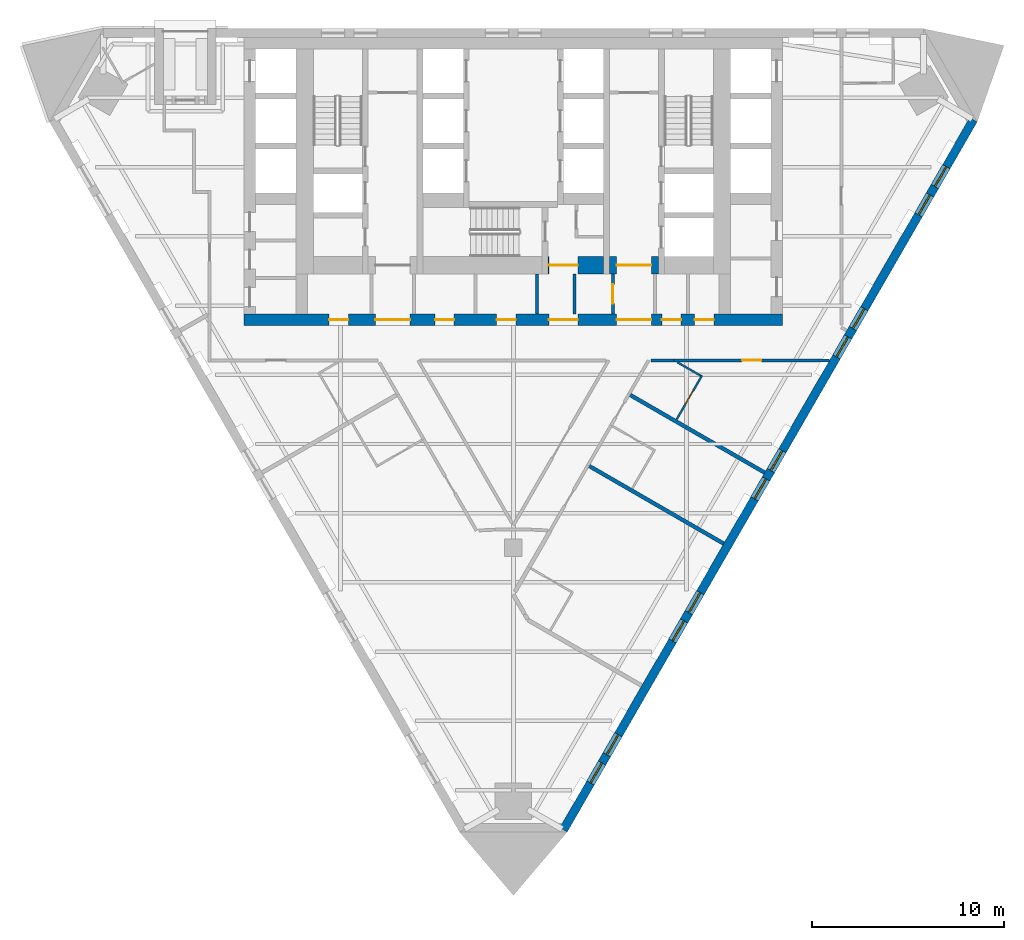
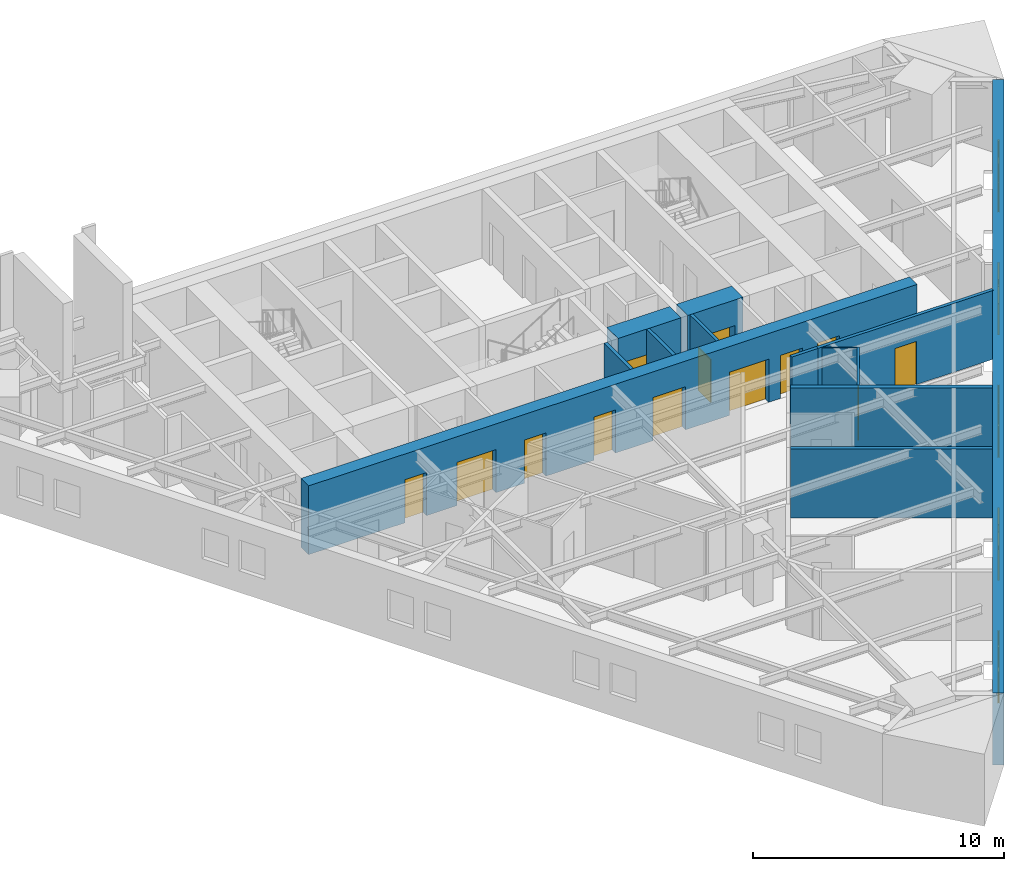
# One storey, part 4 of 9: 13 doors, 13 walls, 10 windows, 23 openings.
"""IFC4 building model written with IfcOpenShell, lengths in metres."""

from ifc_helpers import new_model, si_unit, direction, frame, frame_2d, origin, place, context, subcontext, project, spatial, polyline, rectangle, outline, extrude, material, layer, layer_set, type_object, element, fill, save


model = new_model("IFC4")

# Units and contexts
model_context = context("Model", 3, precision=1e-05, world=origin(), true_north=direction((0.0, 1.0)))
body_context = subcontext(model_context, "Body", "Model", "MODEL_VIEW")
ifc_project = project(units=[si_unit("LENGTHUNIT", "METRE"), si_unit("AREAUNIT", "SQUARE_METRE"), si_unit("VOLUMEUNIT", "CUBIC_METRE"), si_unit("PLANEANGLEUNIT", "RADIAN"), si_unit("MASSUNIT", "GRAM", prefix="KILO")], contexts=[model_context])

# Site, building, storey
site_placement = place(None, origin())
site = spatial("IfcSite", under=ifc_project, at=site_placement, CompositionType="ELEMENT")
building_placement = place(site_placement, origin())
building = spatial("IfcBuilding", under=site, at=building_placement, Name="Aloe Facet Convention Tower", CompositionType="ELEMENT")
storey_placement = place(building_placement, frame((0.0, 0.0, 92.300048828125)))
storey = spatial("IfcBuildingStorey", under=building, at=storey_placement, Name="L22", CompositionType="ELEMENT", Elevation=92.300048828125)

# Walls
ifc_material_1 = material(Name="Concrete blockwork partition", Category="masonry")
ifc_layer_1 = layer(ifc_material_1, 0.14990234375)
ifc_layer_set_1 = layer_set([ifc_layer_1], Name="CR-W-PART150")
wall_type_1 = type_object("IfcWallType", Name="CR-W-PART150", PredefinedType="PARTITIONING", material=ifc_layer_set_1)
for number, where, z_axis, x_axis, name in (
    (1, (81.22509765625, 122.25, 0.0), (0.0, 0.0, 1.0), (0.0, -1.0, 0.0), "Core partition L22-027"),
    (2, (83.175048828125, 122.25, 0.0), (0.0, 0.0, 1.0), (0.0, -1.0, 0.0), "Core partition L22-034"),
):
    element("IfcWall", number, at=place(storey_placement, frame(where, z_axis=z_axis, x_axis=x_axis)), inside=storey, type_object=wall_type_1, Name=name, PredefinedType="PARTITIONING", context=body_context, shape_type="SweptSolid", body=[
        extrude(rectangle(XDim=2.10009765625, YDim=0.14990234375, at=frame_2d((1.050048828125, 0.0))), origin(), (0.0, 0.0, 1.0), 3.349853515625),
    ])

# Wall, opening, door
wall_1_placement = place(storey_placement, frame((85.175048828125, 122.25, 0.0), z_axis=(0.0, 0.0, 1.0), x_axis=(0.0, -1.0, 0.0)))
wall_1 = element("IfcWall", 3, at=wall_1_placement, inside=storey, type_object=wall_type_1, Name="Core partition L22-040", PredefinedType="PARTITIONING", context=body_context, shape_type="SweptSolid", body=[
    extrude(rectangle(XDim=2.10009765625, YDim=0.14990234375, at=frame_2d((1.050048828125, 0.0))), origin(), (0.0, 0.0, 1.0), 3.349853515625),
])
opening_1_placement = place(wall_1_placement, frame((0.550048828125, 0.0, 0.0)))
opening_1 = element("IfcOpeningElement", 4, at=opening_1_placement, cuts=wall_1, Name="Opening L22-CD26", PredefinedType="OPENING", context=body_context, shape_type="SweptSolid", body=[
    extrude(rectangle(XDim=1.0, YDim=2.10009765625, at=frame_2d((0.5, 1.050048828125))), frame((0.0, 0.0849609375, 0.0), z_axis=(0.0, -1.0, 0.0), x_axis=(1.0, 0.0, 0.0)), (0.0, 0.0, 1.0), 0.169921875),
])
ifc_material_2 = material(Name="Steel fire-resisting door set FD60", Category="steel")
door_type_1 = type_object("IfcDoorType", Name="CR-D-ROOM-1000-FD60-SRIGHT", OperationType="SINGLE_SWING_RIGHT", PredefinedType="DOOR", material=ifc_material_2)
door_1_placement = place(opening_1_placement, origin())
door_1 = element("IfcDoor", 5, at=door_1_placement, inside=storey, type_object=door_type_1, Name="Core door L22-CD26", OperationType="SINGLE_SWING_RIGHT", OverallHeight=2.10009765625, OverallWidth=1.0, PredefinedType="DOOR", context=body_context, shape_type="SweptSolid", body=[
    extrude(rectangle(XDim=1.0, YDim=2.10009765625, at=frame_2d((0.5, 1.050048828125))), frame((0.0, 0.02490234375, 0.0), z_axis=(0.0, -1.0, 0.0), x_axis=(1.0, 0.0, 0.0)), (0.0, 0.0, 1.0), 0.050048828125),
])
fill(opening_1, door_1)

# Wall, openings, doors
ifc_material_3 = material(Name="Concrete C70/85", Category="concrete")
ifc_layer_2 = layer(ifc_material_3, 0.60009765625)
ifc_layer_set_2 = layer_set([ifc_layer_2], Name="CR-W-RC600-C7085")
wall_type_2 = type_object("IfcWallType", Name="CR-W-RC600-C7085", PredefinedType="SOLIDWALL", material=ifc_layer_set_2)
wall_2_placement = place(storey_placement, frame((66.0, 119.85009765625, 0.0), z_axis=(0.0, 0.0, 1.0), x_axis=(1.0, 0.0, 0.0)))
wall_2 = element("IfcWall", 6, at=wall_2_placement, inside=storey, type_object=wall_type_2, Name="Core wall L22-003", PredefinedType="SOLIDWALL", context=body_context, shape_type="SweptSolid", body=[
    extrude(rectangle(XDim=28.0, YDim=0.60009765625, at=frame_2d((14.0, 0.0))), origin(), (0.0, 0.0, 1.0), 3.349853515625),
])
opening_2_placement = place(wall_2_placement, frame((6.824951171875, 0.0, 0.0)))
opening_2 = element("IfcOpeningElement", 7, at=opening_2_placement, cuts=wall_2, Name="Opening L22-CD16", PredefinedType="OPENING", context=body_context, shape_type="SweptSolid", body=[
    extrude(rectangle(XDim=1.800048828125, YDim=2.10009765625, at=frame_2d((0.89990234375, 1.050048828125))), frame((0.0, 0.31005859375, 0.0), z_axis=(0.0, -1.0, 0.0), x_axis=(1.0, 0.0, 0.0)), (0.0, 0.0, 1.0), 0.6201171875),
])
opening_3_placement = place(wall_2_placement, frame((15.85009765625, 0.0, 0.0)))
opening_3 = element("IfcOpeningElement", 8, at=opening_3_placement, cuts=wall_2, Name="Opening L22-CD17", PredefinedType="OPENING", context=body_context, shape_type="SweptSolid", body=[
    extrude(rectangle(XDim=1.5, YDim=2.10009765625, at=frame_2d((0.75, 1.050048828125))), frame((0.0, 0.31005859375, 0.0), z_axis=(0.0, -1.0, 0.0), x_axis=(1.0, 0.0, 0.0)), (0.0, 0.0, 1.0), 0.6201171875),
])
opening_4_placement = place(wall_2_placement, frame((19.375, 0.0, 0.0)))
opening_4 = element("IfcOpeningElement", 9, at=opening_4_placement, cuts=wall_2, Name="Opening L22-CD18", PredefinedType="OPENING", context=body_context, shape_type="SweptSolid", body=[
    extrude(rectangle(XDim=1.800048828125, YDim=2.10009765625, at=frame_2d((0.89990234375, 1.050048828125))), frame((0.0, 0.31005859375, 0.0), z_axis=(0.0, -1.0, 0.0), x_axis=(1.0, 0.0, 0.0)), (0.0, 0.0, 1.0), 0.6201171875),
])
opening_5_placement = place(wall_2_placement, frame((4.425048828125, 0.0, 0.0)))
opening_5 = element("IfcOpeningElement", 10, at=opening_5_placement, cuts=wall_2, Name="Opening L22-CD23", PredefinedType="OPENING", context=body_context, shape_type="SweptSolid", body=[
    extrude(rectangle(XDim=1.0, YDim=2.10009765625, at=frame_2d((0.5, 1.050048828125))), frame((0.0, 0.31005859375, 0.0), z_axis=(0.0, -1.0, 0.0), x_axis=(1.0, 0.0, 0.0)), (0.0, 0.0, 1.0), 0.6201171875),
])
opening_6_placement = place(wall_2_placement, frame((9.925048828125, 0.0, 0.0)))
opening_6 = element("IfcOpeningElement", 11, at=opening_6_placement, cuts=wall_2, Name="Opening L22-CD24", PredefinedType="OPENING", context=body_context, shape_type="SweptSolid", body=[
    extrude(rectangle(XDim=1.0, YDim=2.10009765625, at=frame_2d((0.5, 1.050048828125))), frame((0.0, 0.31005859375, 0.0), z_axis=(0.0, -1.0, 0.0), x_axis=(1.0, 0.0, 0.0)), (0.0, 0.0, 1.0), 0.6201171875),
])
opening_7_placement = place(wall_2_placement, frame((13.125, 0.0, 0.0)))
opening_7 = element("IfcOpeningElement", 12, at=opening_7_placement, cuts=wall_2, Name="Opening L22-CD25", PredefinedType="OPENING", context=body_context, shape_type="SweptSolid", body=[
    extrude(rectangle(XDim=1.0, YDim=2.10009765625, at=frame_2d((0.5, 1.050048828125))), frame((0.0, 0.31005859375, 0.0), z_axis=(0.0, -1.0, 0.0), x_axis=(1.0, 0.0, 0.0)), (0.0, 0.0, 1.0), 0.6201171875),
])
opening_8_placement = place(wall_2_placement, frame((21.72509765625, 0.0, 0.0)))
opening_8 = element("IfcOpeningElement", 13, at=opening_8_placement, cuts=wall_2, Name="Opening L22-CD27", PredefinedType="OPENING", context=body_context, shape_type="SweptSolid", body=[
    extrude(rectangle(XDim=1.0, YDim=2.10009765625, at=frame_2d((0.5, 1.050048828125))), frame((0.0, 0.31005859375, 0.0), z_axis=(0.0, -1.0, 0.0), x_axis=(1.0, 0.0, 0.0)), (0.0, 0.0, 1.0), 0.6201171875),
])
opening_9_placement = place(wall_2_placement, frame((23.425048828125, 0.0, 0.0)))
opening_9 = element("IfcOpeningElement", 14, at=opening_9_placement, cuts=wall_2, Name="Opening L22-CD28", PredefinedType="OPENING", context=body_context, shape_type="SweptSolid", body=[
    extrude(rectangle(XDim=1.0, YDim=2.10009765625, at=frame_2d((0.5, 1.050048828125))), frame((0.0, 0.31005859375, 0.0), z_axis=(0.0, -1.0, 0.0), x_axis=(1.0, 0.0, 0.0)), (0.0, 0.0, 1.0), 0.6201171875),
])
ifc_material_4 = material(Name="Steel fire-resisting door set FD60", Category="steel")
door_type_2 = type_object("IfcDoorType", Name="CR-D-EXIT-1500-FD60-DD", OperationType="DOUBLE_DOOR_DOUBLE_SWING", PredefinedType="DOOR", material=ifc_material_4)
door_2_placement = place(opening_3_placement, origin())
door_2 = element("IfcDoor", 15, at=door_2_placement, inside=storey, type_object=door_type_2, Name="Core door L22-CD17", OperationType="DOUBLE_DOOR_DOUBLE_SWING", OverallHeight=2.10009765625, OverallWidth=1.5, PredefinedType="DOOR", context=body_context, shape_type="SweptSolid", body=[
    extrude(rectangle(XDim=1.5, YDim=2.10009765625, at=frame_2d((0.75, 1.050048828125))), frame((0.0, 0.02490234375, 0.0), z_axis=(0.0, -1.0, 0.0), x_axis=(1.0, 0.0, 0.0)), (0.0, 0.0, 1.0), 0.050048828125),
])
fill(opening_3, door_2)
ifc_material_5 = material(Name="Steel fire-resisting door set FD60", Category="steel")
door_type_3 = type_object("IfcDoorType", Name="CR-D-EXIT-1800-FD60-DD", OperationType="DOUBLE_DOOR_DOUBLE_SWING", PredefinedType="DOOR", material=ifc_material_5)
door_3_placement = place(opening_2_placement, origin())
door_3 = element("IfcDoor", 16, at=door_3_placement, inside=storey, type_object=door_type_3, Name="Core door L22-CD16", OperationType="DOUBLE_DOOR_DOUBLE_SWING", OverallHeight=2.10009765625, OverallWidth=1.800048828125, PredefinedType="DOOR", context=body_context, shape_type="SweptSolid", body=[
    extrude(rectangle(XDim=1.800048828125, YDim=2.10009765625, at=frame_2d((0.89990234375, 1.050048828125))), frame((0.0, 0.02490234375, 0.0), z_axis=(0.0, -1.0, 0.0), x_axis=(1.0, 0.0, 0.0)), (0.0, 0.0, 1.0), 0.050048828125),
])
fill(opening_2, door_3)
door_4_placement = place(opening_4_placement, origin())
door_4 = element("IfcDoor", 17, at=door_4_placement, inside=storey, type_object=door_type_3, Name="Core door L22-CD18", OperationType="DOUBLE_DOOR_DOUBLE_SWING", OverallHeight=2.10009765625, OverallWidth=1.800048828125, PredefinedType="DOOR", context=body_context, shape_type="SweptSolid", body=[
    extrude(rectangle(XDim=1.800048828125, YDim=2.10009765625, at=frame_2d((0.89990234375, 1.050048828125))), frame((0.0, 0.02490234375, 0.0), z_axis=(0.0, -1.0, 0.0), x_axis=(1.0, 0.0, 0.0)), (0.0, 0.0, 1.0), 0.050048828125),
])
fill(opening_4, door_4)
door_5_placement = place(opening_5_placement, origin())
door_5 = element("IfcDoor", 18, at=door_5_placement, inside=storey, type_object=door_type_1, Name="Core door L22-CD23", OperationType="SINGLE_SWING_RIGHT", OverallHeight=2.10009765625, OverallWidth=1.0, PredefinedType="DOOR", context=body_context, shape_type="SweptSolid", body=[
    extrude(rectangle(XDim=1.0, YDim=2.10009765625, at=frame_2d((0.5, 1.050048828125))), frame((0.0, 0.02490234375, 0.0), z_axis=(0.0, -1.0, 0.0), x_axis=(1.0, 0.0, 0.0)), (0.0, 0.0, 1.0), 0.050048828125),
])
fill(opening_5, door_5)
door_6_placement = place(opening_6_placement, origin())
door_6 = element("IfcDoor", 19, at=door_6_placement, inside=storey, type_object=door_type_1, Name="Core door L22-CD24", OperationType="SINGLE_SWING_RIGHT", OverallHeight=2.10009765625, OverallWidth=1.0, PredefinedType="DOOR", context=body_context, shape_type="SweptSolid", body=[
    extrude(rectangle(XDim=1.0, YDim=2.10009765625, at=frame_2d((0.5, 1.050048828125))), frame((0.0, 0.02490234375, 0.0), z_axis=(0.0, -1.0, 0.0), x_axis=(1.0, 0.0, 0.0)), (0.0, 0.0, 1.0), 0.050048828125),
])
fill(opening_6, door_6)
door_7_placement = place(opening_7_placement, origin())
door_7 = element("IfcDoor", 20, at=door_7_placement, inside=storey, type_object=door_type_1, Name="Core door L22-CD25", OperationType="SINGLE_SWING_RIGHT", OverallHeight=2.10009765625, OverallWidth=1.0, PredefinedType="DOOR", context=body_context, shape_type="SweptSolid", body=[
    extrude(rectangle(XDim=1.0, YDim=2.10009765625, at=frame_2d((0.5, 1.050048828125))), frame((0.0, 0.02490234375, 0.0), z_axis=(0.0, -1.0, 0.0), x_axis=(1.0, 0.0, 0.0)), (0.0, 0.0, 1.0), 0.050048828125),
])
fill(opening_7, door_7)
door_8_placement = place(opening_8_placement, origin())
door_8 = element("IfcDoor", 21, at=door_8_placement, inside=storey, type_object=door_type_1, Name="Core door L22-CD27", OperationType="SINGLE_SWING_RIGHT", OverallHeight=2.10009765625, OverallWidth=1.0, PredefinedType="DOOR", context=body_context, shape_type="SweptSolid", body=[
    extrude(rectangle(XDim=1.0, YDim=2.10009765625, at=frame_2d((0.5, 1.050048828125))), frame((0.0, 0.02490234375, 0.0), z_axis=(0.0, -1.0, 0.0), x_axis=(1.0, 0.0, 0.0)), (0.0, 0.0, 1.0), 0.050048828125),
])
fill(opening_8, door_8)
door_9_placement = place(opening_9_placement, origin())
door_9 = element("IfcDoor", 22, at=door_9_placement, inside=storey, type_object=door_type_1, Name="Core door L22-CD28", OperationType="SINGLE_SWING_RIGHT", OverallHeight=2.10009765625, OverallWidth=1.0, PredefinedType="DOOR", context=body_context, shape_type="SweptSolid", body=[
    extrude(rectangle(XDim=1.0, YDim=2.10009765625, at=frame_2d((0.5, 1.050048828125))), frame((0.0, 0.02490234375, 0.0), z_axis=(0.0, -1.0, 0.0), x_axis=(1.0, 0.0, 0.0)), (0.0, 0.0, 1.0), 0.050048828125),
])
fill(opening_9, door_9)

# Wall, opening, door
ifc_material_6 = material(Name="Concrete C70/85", Category="concrete")
ifc_layer_3 = layer(ifc_material_6, 0.89990234375)
ifc_layer_set_3 = layer_set([ifc_layer_3], Name="CR-W-RC900-C7085")
wall_type_3 = type_object("IfcWallType", Name="CR-W-RC900-C7085", PredefinedType="SOLIDWALL", material=ifc_layer_set_3)
wall_3_placement = place(storey_placement, frame((81.800048828125, 122.699951171875, 0.0), z_axis=(0.0, 0.0, 1.0), x_axis=(1.0, 0.0, 0.0)))
wall_3 = element("IfcWall", 23, at=wall_3_placement, inside=storey, type_object=wall_type_3, Name="Core wall L22-029", PredefinedType="SOLIDWALL", context=body_context, shape_type="SweptSolid", body=[
    extrude(rectangle(XDim=2.89990234375, YDim=0.89990234375, at=frame_2d((1.449951171875, 0.0))), origin(), (0.0, 0.0, 1.0), 3.349853515625),
])
opening_10_placement = place(wall_3_placement, frame((0.050048828125, 0.0, 0.0)))
opening_10 = element("IfcOpeningElement", 24, at=opening_10_placement, cuts=wall_3, Name="Opening L22-CD15", PredefinedType="OPENING", context=body_context, shape_type="SweptSolid", body=[
    extrude(rectangle(XDim=1.5, YDim=2.10009765625, at=frame_2d((0.75, 1.050048828125))), frame((0.0, 0.4599609375, 0.0), z_axis=(0.0, -1.0, 0.0), x_axis=(1.0, 0.0, 0.0)), (0.0, 0.0, 1.0), 0.919921875),
])
door_10_placement = place(opening_10_placement, origin())
door_10 = element("IfcDoor", 25, at=door_10_placement, inside=storey, type_object=door_type_2, Name="Core door L22-CD15", OperationType="DOUBLE_DOOR_DOUBLE_SWING", OverallHeight=2.10009765625, OverallWidth=1.5, PredefinedType="DOOR", context=body_context, shape_type="SweptSolid", body=[
    extrude(rectangle(XDim=1.5, YDim=2.10009765625, at=frame_2d((0.75, 1.050048828125))), frame((0.0, 0.02490234375, 0.0), z_axis=(0.0, -1.0, 0.0), x_axis=(1.0, 0.0, 0.0)), (0.0, 0.0, 1.0), 0.050048828125),
])
fill(opening_10, door_10)

wall_4_placement = place(storey_placement, frame((85.0, 122.699951171875, 0.0), z_axis=(0.0, 0.0, 1.0), x_axis=(1.0, 0.0, 0.0)))
wall_4 = element("IfcWall", 26, at=wall_4_placement, inside=storey, type_object=wall_type_3, Name="Core wall L22-039", PredefinedType="SOLIDWALL", context=body_context, shape_type="SweptSolid", body=[
    extrude(rectangle(XDim=2.550048828125, YDim=0.89990234375, at=frame_2d((1.27490234375, 0.0))), origin(), (0.0, 0.0, 1.0), 3.349853515625),
])
opening_11_placement = place(wall_4_placement, frame((0.375, 0.0, 0.0)))
opening_11 = element("IfcOpeningElement", 27, at=opening_11_placement, cuts=wall_4, Name="Opening L22-CD13", PredefinedType="OPENING", context=body_context, shape_type="SweptSolid", body=[
    extrude(rectangle(XDim=1.800048828125, YDim=2.10009765625, at=frame_2d((0.89990234375, 1.050048828125))), frame((0.0, 0.4599609375, 0.0), z_axis=(0.0, -1.0, 0.0), x_axis=(1.0, 0.0, 0.0)), (0.0, 0.0, 1.0), 0.919921875),
])
ifc_material_7 = material(Name="Steel fire-resisting door set FD120", Category="steel")
door_type_4 = type_object("IfcDoorType", Name="CR-D-EXIT-1800-FD120-DD", OperationType="DOUBLE_DOOR_DOUBLE_SWING", PredefinedType="DOOR", material=ifc_material_7)
door_11_placement = place(opening_11_placement, origin())
door_11 = element("IfcDoor", 28, at=door_11_placement, inside=storey, type_object=door_type_4, Name="Core door L22-CD13", OperationType="DOUBLE_DOOR_DOUBLE_SWING", OverallHeight=2.10009765625, OverallWidth=1.800048828125, PredefinedType="DOOR", context=body_context, shape_type="SweptSolid", body=[
    extrude(rectangle(XDim=1.800048828125, YDim=2.10009765625, at=frame_2d((0.89990234375, 1.050048828125))), frame((0.0, 0.02490234375, 0.0), z_axis=(0.0, -1.0, 0.0), x_axis=(1.0, 0.0, 0.0)), (0.0, 0.0, 1.0), 0.050048828125),
])
fill(opening_11, door_11)

# Wall, openings, windows
ifc_material_8 = material(Name="Precast concrete C40/50", Category="concrete")
ifc_layer_4 = layer(ifc_material_8, 0.449951171875)
ifc_layer_set_4 = layer_set([ifc_layer_4], Name="EV-WALL-STONE")
wall_type_4 = type_object("IfcWallType", Name="EV-WALL-STONE", PredefinedType="SOLIDWALL", material=ifc_layer_set_4)
wall_5_placement = place(storey_placement, frame((82.605224609375, 93.332763671875, -0.150146484375), z_axis=(0.0, 0.0, 1.0), x_axis=(0.500000478905, 0.866025127289, 0.0)))
wall_5 = element("IfcWall", 29, at=wall_5_placement, inside=storey, type_object=wall_type_4, Name="EW-L22-E01", PredefinedType="SOLIDWALL", context=body_context, shape_type="SweptSolid", body=[
    extrude(outline(polyline([(42.64306640625, 0.0), (42.64306640625, 3.5), (0.0, 3.5), (0.0, 0.0), (42.64306640625, 0.0)])), frame((0.0, 0.22509765625, 0.0), z_axis=(0.0, -1.0, 0.0), x_axis=(1.0, 0.0, 0.0)), (0.0, 0.0, 1.0), 0.449951171875),
])
opening_12_placement = place(wall_5_placement, frame((2.814208984375, 0.0, 1.050048828125)))
opening_12 = element("IfcOpeningElement", 30, at=opening_12_placement, cuts=wall_5, Name="Opening W-L22-E01", PredefinedType="OPENING", context=body_context, shape_type="SweptSolid", body=[
    extrude(rectangle(XDim=1.199951171875, YDim=1.5, at=frame_2d((0.60009765625, 0.75))), frame((0.0, 0.23486328125, 0.0), z_axis=(0.0, -1.0, 0.0), x_axis=(1.0, 0.0, 0.0)), (0.0, 0.0, 1.0), 0.469970703125),
])
opening_13_placement = place(wall_5_placement, frame((4.514404296875, 0.0, 1.050048828125)))
opening_13 = element("IfcOpeningElement", 31, at=opening_13_placement, cuts=wall_5, Name="Opening W-L22-E02", PredefinedType="OPENING", context=body_context, shape_type="SweptSolid", body=[
    extrude(rectangle(XDim=1.199951171875, YDim=1.5, at=frame_2d((0.60009765625, 0.75))), frame((0.0, 0.23486328125, 0.0), z_axis=(0.0, -1.0, 0.0), x_axis=(1.0, 0.0, 0.0)), (0.0, 0.0, 1.0), 0.469970703125),
])
opening_14_placement = place(wall_5_placement, frame((11.343017578125, 0.0, 1.050048828125)))
opening_14 = element("IfcOpeningElement", 32, at=opening_14_placement, cuts=wall_5, Name="Opening W-L22-E03", PredefinedType="OPENING", context=body_context, shape_type="SweptSolid", body=[
    extrude(rectangle(XDim=1.199951171875, YDim=1.5, at=frame_2d((0.60009765625, 0.75))), frame((0.0, 0.23486328125, 0.0), z_axis=(0.0, -1.0, 0.0), x_axis=(1.0, 0.0, 0.0)), (0.0, 0.0, 1.0), 0.469970703125),
])
opening_15_placement = place(wall_5_placement, frame((13.04296875, 0.0, 1.050048828125)))
opening_15 = element("IfcOpeningElement", 33, at=opening_15_placement, cuts=wall_5, Name="Opening W-L22-E04", PredefinedType="OPENING", context=body_context, shape_type="SweptSolid", body=[
    extrude(rectangle(XDim=1.199951171875, YDim=1.5, at=frame_2d((0.60009765625, 0.75))), frame((0.0, 0.23486328125, 0.0), z_axis=(0.0, -1.0, 0.0), x_axis=(1.0, 0.0, 0.0)), (0.0, 0.0, 1.0), 0.469970703125),
])
opening_16_placement = place(wall_5_placement, frame((19.87158203125, 0.0, 1.050048828125)))
opening_16 = element("IfcOpeningElement", 34, at=opening_16_placement, cuts=wall_5, Name="Opening W-L22-E05", PredefinedType="OPENING", context=body_context, shape_type="SweptSolid", body=[
    extrude(rectangle(XDim=1.199951171875, YDim=1.5, at=frame_2d((0.60009765625, 0.75))), frame((0.0, 0.23486328125, 0.0), z_axis=(0.0, -1.0, 0.0), x_axis=(1.0, 0.0, 0.0)), (0.0, 0.0, 1.0), 0.469970703125),
])
opening_17_placement = place(wall_5_placement, frame((21.571533203125, 0.0, 1.050048828125)))
opening_17 = element("IfcOpeningElement", 35, at=opening_17_placement, cuts=wall_5, Name="Opening W-L22-E06", PredefinedType="OPENING", context=body_context, shape_type="SweptSolid", body=[
    extrude(rectangle(XDim=1.199951171875, YDim=1.5, at=frame_2d((0.60009765625, 0.75))), frame((0.0, 0.23486328125, 0.0), z_axis=(0.0, -1.0, 0.0), x_axis=(1.0, 0.0, 0.0)), (0.0, 0.0, 1.0), 0.469970703125),
])
opening_18_placement = place(wall_5_placement, frame((28.400146484375, 0.0, 1.050048828125)))
opening_18 = element("IfcOpeningElement", 36, at=opening_18_placement, cuts=wall_5, Name="Opening W-L22-E07", PredefinedType="OPENING", context=body_context, shape_type="SweptSolid", body=[
    extrude(rectangle(XDim=1.199951171875, YDim=1.5, at=frame_2d((0.60009765625, 0.75))), frame((0.0, 0.23486328125, 0.0), z_axis=(0.0, -1.0, 0.0), x_axis=(1.0, 0.0, 0.0)), (0.0, 0.0, 1.0), 0.469970703125),
])
opening_19_placement = place(wall_5_placement, frame((30.10009765625, 0.0, 1.050048828125)))
opening_19 = element("IfcOpeningElement", 37, at=opening_19_placement, cuts=wall_5, Name="Opening W-L22-E08", PredefinedType="OPENING", context=body_context, shape_type="SweptSolid", body=[
    extrude(rectangle(XDim=1.199951171875, YDim=1.5, at=frame_2d((0.60009765625, 0.75))), frame((0.0, 0.23486328125, 0.0), z_axis=(0.0, -1.0, 0.0), x_axis=(1.0, 0.0, 0.0)), (0.0, 0.0, 1.0), 0.469970703125),
])
opening_20_placement = place(wall_5_placement, frame((36.9287109375, 0.0, 1.050048828125)))
opening_20 = element("IfcOpeningElement", 38, at=opening_20_placement, cuts=wall_5, Name="Opening W-L22-E09", PredefinedType="OPENING", context=body_context, shape_type="SweptSolid", body=[
    extrude(rectangle(XDim=1.199951171875, YDim=1.5, at=frame_2d((0.60009765625, 0.75))), frame((0.0, 0.23486328125, 0.0), z_axis=(0.0, -1.0, 0.0), x_axis=(1.0, 0.0, 0.0)), (0.0, 0.0, 1.0), 0.469970703125),
])
opening_21_placement = place(wall_5_placement, frame((38.628662109375, 0.0, 1.050048828125)))
opening_21 = element("IfcOpeningElement", 39, at=opening_21_placement, cuts=wall_5, Name="Opening W-L22-E10", PredefinedType="OPENING", context=body_context, shape_type="SweptSolid", body=[
    extrude(rectangle(XDim=1.199951171875, YDim=1.5, at=frame_2d((0.60009765625, 0.75))), frame((0.0, 0.23486328125, 0.0), z_axis=(0.0, -1.0, 0.0), x_axis=(1.0, 0.0, 0.0)), (0.0, 0.0, 1.0), 0.469970703125),
])
ifc_material_9 = material(Name="Aluminium frame, clear double glazing", Category="aluminium")
window_type = type_object("IfcWindowType", Name="EV-WIN-H12", PartitioningType="SINGLE_PANEL", PredefinedType="WINDOW", material=ifc_material_9)
window_1_placement = place(opening_12_placement, origin())
window_1 = element("IfcWindow", 40, at=window_1_placement, inside=storey, type_object=window_type, Name="W-L22-E01", OverallHeight=1.5, OverallWidth=1.199951171875, PartitioningType="SINGLE_PANEL", PredefinedType="WINDOW", context=body_context, shape_type="SweptSolid", body=[
    extrude(rectangle(XDim=1.199951171875, YDim=1.5, at=frame_2d((0.60009765625, 0.75))), frame((0.0, 0.030029296875, 0.0), z_axis=(0.0, -1.0, 0.0), x_axis=(1.0, 0.0, 0.0)), (0.0, 0.0, 1.0), 0.06005859375),
])
fill(opening_12, window_1)
window_2_placement = place(opening_13_placement, origin())
window_2 = element("IfcWindow", 41, at=window_2_placement, inside=storey, type_object=window_type, Name="W-L22-E02", OverallHeight=1.5, OverallWidth=1.199951171875, PartitioningType="SINGLE_PANEL", PredefinedType="WINDOW", context=body_context, shape_type="SweptSolid", body=[
    extrude(rectangle(XDim=1.199951171875, YDim=1.5, at=frame_2d((0.60009765625, 0.75))), frame((0.0, 0.030029296875, 0.0), z_axis=(0.0, -1.0, 0.0), x_axis=(1.0, 0.0, 0.0)), (0.0, 0.0, 1.0), 0.06005859375),
])
fill(opening_13, window_2)
window_3_placement = place(opening_14_placement, origin())
window_3 = element("IfcWindow", 42, at=window_3_placement, inside=storey, type_object=window_type, Name="W-L22-E03", OverallHeight=1.5, OverallWidth=1.199951171875, PartitioningType="SINGLE_PANEL", PredefinedType="WINDOW", context=body_context, shape_type="SweptSolid", body=[
    extrude(rectangle(XDim=1.199951171875, YDim=1.5, at=frame_2d((0.60009765625, 0.75))), frame((0.0, 0.030029296875, 0.0), z_axis=(0.0, -1.0, 0.0), x_axis=(1.0, 0.0, 0.0)), (0.0, 0.0, 1.0), 0.06005859375),
])
fill(opening_14, window_3)
window_4_placement = place(opening_15_placement, origin())
window_4 = element("IfcWindow", 43, at=window_4_placement, inside=storey, type_object=window_type, Name="W-L22-E04", OverallHeight=1.5, OverallWidth=1.199951171875, PartitioningType="SINGLE_PANEL", PredefinedType="WINDOW", context=body_context, shape_type="SweptSolid", body=[
    extrude(rectangle(XDim=1.199951171875, YDim=1.5, at=frame_2d((0.60009765625, 0.75))), frame((0.0, 0.030029296875, 0.0), z_axis=(0.0, -1.0, 0.0), x_axis=(1.0, 0.0, 0.0)), (0.0, 0.0, 1.0), 0.06005859375),
])
fill(opening_15, window_4)
window_5_placement = place(opening_16_placement, origin())
window_5 = element("IfcWindow", 44, at=window_5_placement, inside=storey, type_object=window_type, Name="W-L22-E05", OverallHeight=1.5, OverallWidth=1.199951171875, PartitioningType="SINGLE_PANEL", PredefinedType="WINDOW", context=body_context, shape_type="SweptSolid", body=[
    extrude(rectangle(XDim=1.199951171875, YDim=1.5, at=frame_2d((0.60009765625, 0.75))), frame((0.0, 0.030029296875, 0.0), z_axis=(0.0, -1.0, 0.0), x_axis=(1.0, 0.0, 0.0)), (0.0, 0.0, 1.0), 0.06005859375),
])
fill(opening_16, window_5)
window_6_placement = place(opening_17_placement, origin())
window_6 = element("IfcWindow", 45, at=window_6_placement, inside=storey, type_object=window_type, Name="W-L22-E06", OverallHeight=1.5, OverallWidth=1.199951171875, PartitioningType="SINGLE_PANEL", PredefinedType="WINDOW", context=body_context, shape_type="SweptSolid", body=[
    extrude(rectangle(XDim=1.199951171875, YDim=1.5, at=frame_2d((0.60009765625, 0.75))), frame((0.0, 0.030029296875, 0.0), z_axis=(0.0, -1.0, 0.0), x_axis=(1.0, 0.0, 0.0)), (0.0, 0.0, 1.0), 0.06005859375),
])
fill(opening_17, window_6)
window_7_placement = place(opening_18_placement, origin())
window_7 = element("IfcWindow", 46, at=window_7_placement, inside=storey, type_object=window_type, Name="W-L22-E07", OverallHeight=1.5, OverallWidth=1.199951171875, PartitioningType="SINGLE_PANEL", PredefinedType="WINDOW", context=body_context, shape_type="SweptSolid", body=[
    extrude(rectangle(XDim=1.199951171875, YDim=1.5, at=frame_2d((0.60009765625, 0.75))), frame((0.0, 0.030029296875, 0.0), z_axis=(0.0, -1.0, 0.0), x_axis=(1.0, 0.0, 0.0)), (0.0, 0.0, 1.0), 0.06005859375),
])
fill(opening_18, window_7)
window_8_placement = place(opening_19_placement, origin())
window_8 = element("IfcWindow", 47, at=window_8_placement, inside=storey, type_object=window_type, Name="W-L22-E08", OverallHeight=1.5, OverallWidth=1.199951171875, PartitioningType="SINGLE_PANEL", PredefinedType="WINDOW", context=body_context, shape_type="SweptSolid", body=[
    extrude(rectangle(XDim=1.199951171875, YDim=1.5, at=frame_2d((0.60009765625, 0.75))), frame((0.0, 0.030029296875, 0.0), z_axis=(0.0, -1.0, 0.0), x_axis=(1.0, 0.0, 0.0)), (0.0, 0.0, 1.0), 0.06005859375),
])
fill(opening_19, window_8)
window_9_placement = place(opening_20_placement, origin())
window_9 = element("IfcWindow", 48, at=window_9_placement, inside=storey, type_object=window_type, Name="W-L22-E09", OverallHeight=1.5, OverallWidth=1.199951171875, PartitioningType="SINGLE_PANEL", PredefinedType="WINDOW", context=body_context, shape_type="SweptSolid", body=[
    extrude(rectangle(XDim=1.199951171875, YDim=1.5, at=frame_2d((0.60009765625, 0.75))), frame((0.0, 0.030029296875, 0.0), z_axis=(0.0, -1.0, 0.0), x_axis=(1.0, 0.0, 0.0)), (0.0, 0.0, 1.0), 0.06005859375),
])
fill(opening_20, window_9)
window_10_placement = place(opening_21_placement, origin())
window_10 = element("IfcWindow", 49, at=window_10_placement, inside=storey, type_object=window_type, Name="W-L22-E10", OverallHeight=1.5, OverallWidth=1.199951171875, PartitioningType="SINGLE_PANEL", PredefinedType="WINDOW", context=body_context, shape_type="SweptSolid", body=[
    extrude(rectangle(XDim=1.199951171875, YDim=1.5, at=frame_2d((0.60009765625, 0.75))), frame((0.0, 0.030029296875, 0.0), z_axis=(0.0, -1.0, 0.0), x_axis=(1.0, 0.0, 0.0)), (0.0, 0.0, 1.0), 0.06005859375),
])
fill(opening_21, window_10)

# Wall
ifc_material_10 = material(Name="Gypsum board partition on steel studs", Category="steel")
ifc_layer_5 = layer(ifc_material_10, 0.14990234375)
ifc_layer_set_5 = layer_set([ifc_layer_5], Name="IN-W-CORR")
wall_type_5 = type_object("IfcWallType", Name="IN-W-CORR", PredefinedType="PARTITIONING", material=ifc_layer_set_5)
wall_6_placement = place(storey_placement, frame((87.16162109375, 117.75, 0.0), z_axis=(0.0, 0.0, 1.0), x_axis=(1.0, 0.0, 0.0)))
element("IfcWall", 50, at=wall_6_placement, inside=storey, type_object=wall_type_5, Name="Partition L22-W045", PredefinedType="PARTITIONING", context=body_context, shape_type="SweptSolid", body=[
    extrude(rectangle(XDim=1.19482421875, YDim=0.14990234375, at=frame_2d((0.597412109375, 0.0))), origin(), (0.0, 0.0, 1.0), 3.349853515625),
])

# Wall, opening, door
wall_7_placement = place(storey_placement, frame((88.3564453125, 117.75, 0.0), z_axis=(0.0, 0.0, 1.0), x_axis=(1.0, 0.0, 0.0)))
wall_7 = element("IfcWall", 51, at=wall_7_placement, inside=storey, type_object=wall_type_5, Name="Partition L22-W047", PredefinedType="PARTITIONING", context=body_context, shape_type="SweptSolid", body=[
    extrude(rectangle(XDim=8.07470703125, YDim=0.14990234375, at=frame_2d((4.037353515625, 0.0))), origin(), (0.0, 0.0, 1.0), 3.349853515625),
])
opening_22_placement = place(wall_7_placement, frame((3.537353515625, 0.0, 0.0)))
opening_22 = element("IfcOpeningElement", 52, at=opening_22_placement, cuts=wall_7, Name="Opening L22-006", PredefinedType="OPENING", context=body_context, shape_type="SweptSolid", body=[
    extrude(rectangle(XDim=1.0, YDim=2.10009765625, at=frame_2d((0.5, 1.050048828125))), frame((0.0, 0.0849609375, 0.0), z_axis=(0.0, -1.0, 0.0), x_axis=(1.0, 0.0, 0.0)), (0.0, 0.0, 1.0), 0.169921875),
])
ifc_material_11 = material(Name="Hardwood flush door FD30S", Category="wood")
door_type_5 = type_object("IfcDoorType", Name="IN-D-WIDE", OperationType="SINGLE_SWING_LEFT", PredefinedType="DOOR", material=ifc_material_11)
door_12_placement = place(opening_22_placement, origin())
door_12 = element("IfcDoor", 53, at=door_12_placement, inside=storey, type_object=door_type_5, Name="Door L22-006", OperationType="SINGLE_SWING_LEFT", OverallHeight=2.10009765625, OverallWidth=1.0, PredefinedType="DOOR", context=body_context, shape_type="SweptSolid", body=[
    extrude(rectangle(XDim=1.0, YDim=2.10009765625, at=frame_2d((0.5, 1.050048828125))), frame((0.0, 0.02490234375, 0.0), z_axis=(0.0, -1.0, 0.0), x_axis=(1.0, 0.0, 0.0)), (0.0, 0.0, 1.0), 0.050048828125),
])
fill(opening_22, door_12)

ifc_material_12 = material(Name="Gypsum board partition on steel studs", Category="steel")
ifc_layer_6 = layer(ifc_material_12, 0.10009765625)
ifc_layer_set_6 = layer_set([ifc_layer_6], Name="IN-W-PART")
wall_type_6 = type_object("IfcWallType", Name="IN-W-PART", PredefinedType="PARTITIONING", material=ifc_layer_set_6)
wall_8_placement = place(storey_placement, frame((88.492919921875, 114.680419921875, 0.0), z_axis=(0.0, 0.0, 1.0), x_axis=(0.499938597367, 0.866060851709, 0.0)))
wall_8 = element("IfcWall", 54, at=wall_8_placement, inside=storey, type_object=wall_type_6, Name="Partition L22-W037", PredefinedType="PARTITIONING", context=body_context, shape_type="SweptSolid", body=[
    extrude(rectangle(XDim=2.639892578125, YDim=0.10009765625, at=frame_2d((1.31982421875, 0.0))), origin(), (0.0, 0.0, 1.0), 3.349853515625),
])
opening_23_placement = place(wall_8_placement, frame((0.919921875, 0.0, 0.0)))
opening_23 = element("IfcOpeningElement", 55, at=opening_23_placement, cuts=wall_8, Name="Opening L22-014", PredefinedType="OPENING", context=body_context, shape_type="SweptSolid", body=[
    extrude(rectangle(XDim=0.800048828125, YDim=2.10009765625, at=frame_2d((0.39990234375, 1.050048828125))), frame((0.0, 0.06005859375, 0.0), z_axis=(0.0, -1.0, 0.0), x_axis=(1.0, 0.0, 0.0)), (0.0, 0.0, 1.0), 0.1201171875),
])
ifc_material_13 = material(Name="Timber flush door", Category="wood")
door_type_6 = type_object("IfcDoorType", Name="IN-D-BATH", OperationType="SINGLE_SWING_LEFT", PredefinedType="DOOR", material=ifc_material_13)
door_13_placement = place(opening_23_placement, origin())
door_13 = element("IfcDoor", 56, at=door_13_placement, inside=storey, type_object=door_type_6, Name="Door L22-014", OperationType="SINGLE_SWING_LEFT", OverallHeight=2.10009765625, OverallWidth=0.800048828125, PredefinedType="DOOR", context=body_context, shape_type="SweptSolid", body=[
    extrude(rectangle(XDim=0.800048828125, YDim=2.10009765625, at=frame_2d((0.39990234375, 1.050048828125))), frame((0.0, 0.02490234375, 0.0), z_axis=(0.0, -1.0, 0.0), x_axis=(1.0, 0.0, 0.0)), (0.0, 0.0, 1.0), 0.050048828125),
])
fill(opening_23, door_13)

# Walls
wall_9_placement = place(storey_placement, frame((88.533935546875, 117.6474609375, 0.0), z_axis=(0.0, 0.0, 1.0), x_axis=(0.866031452229, -0.49998952364, 0.0)))
element("IfcWall", 57, at=wall_9_placement, inside=storey, type_object=wall_type_6, Name="Partition L22-W046", PredefinedType="PARTITIONING", context=body_context, shape_type="SweptSolid", body=[
    extrude(rectangle(XDim=1.39794921875, YDim=0.10009765625, at=frame_2d((0.698974609375, 0.0))), origin(), (0.0, 0.0, 1.0), 3.349853515625),
])
ifc_material_14 = material(Name="Gypsum board partition on steel studs", Category="steel")
ifc_layer_7 = layer(ifc_material_14, 0.199951171875)
ifc_layer_set_7 = layer_set([ifc_layer_7], Name="IN-W-PARTY")
wall_type_7 = type_object("IfcWallType", Name="IN-W-PARTY", PredefinedType="PARTITIONING", material=ifc_layer_set_7)
wall_10_placement = place(storey_placement, frame((83.954345703125, 112.249755859375, 0.0), z_axis=(0.0, 0.0, 1.0), x_axis=(0.866030828432, -0.499990604118, 0.0)))
element("IfcWall", 58, at=wall_10_placement, inside=storey, type_object=wall_type_7, Name="Partition L22-W009", PredefinedType="PARTITIONING", context=body_context, shape_type="SweptSolid", body=[
    extrude(rectangle(XDim=8.065185546875, YDim=0.199951171875, at=frame_2d((4.03271484375, 0.0))), origin(), (0.0, 0.0, 1.0), 3.349853515625),
])
wall_11_placement = place(storey_placement, frame((86.086669921875, 115.94287109375, 0.0), z_axis=(0.0, 0.0, 1.0), x_axis=(0.866010152247, -0.500026415507, 0.0)))
element("IfcWall", 59, at=wall_11_placement, inside=storey, type_object=wall_type_7, Name="Partition L22-W019", PredefinedType="PARTITIONING", context=body_context, shape_type="SweptSolid", body=[
    extrude(rectangle(XDim=8.06494140625, YDim=0.199951171875, at=frame_2d((4.032470703125, 0.0))), origin(), (0.0, 0.0, 1.0), 3.349853515625),
])

save(model, "model.ifc")
